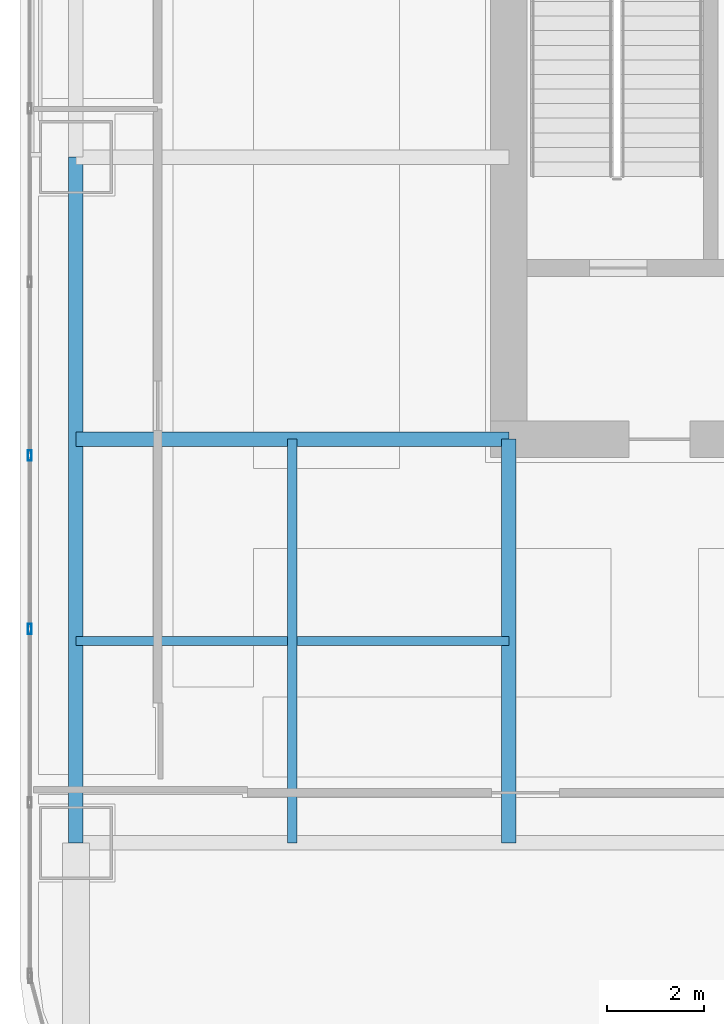
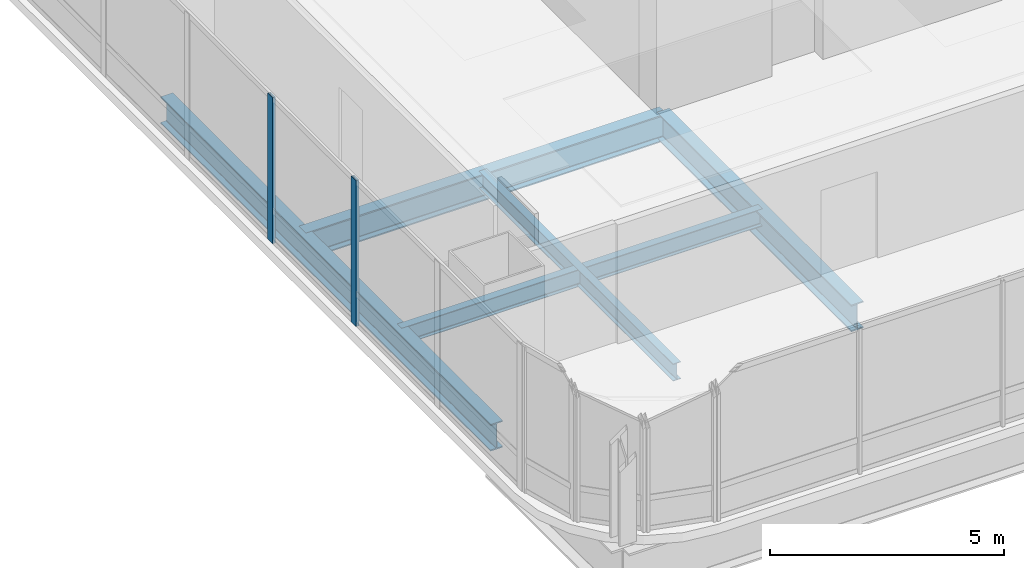
# One storey, part 3 of 35: 5 beams, 2 members, 1 element without a shape of its own.
"""IFC4 building model written with IfcOpenShell, lengths in metres."""

from ifc_helpers import new_model, si_unit, direction, frame, origin, origin_2d, place, context, subcontext, project, spatial, hollow_rectangle, i_section, extrude, material, material_profile, profile_set, type_object, element, aggregate, save


model = new_model("IFC4")

# Units and contexts
model_context = context("Model", 3, precision=1e-05, world=origin(), true_north=direction((0.0, 1.0)))
body_context = subcontext(model_context, "Body", "Model", "MODEL_VIEW")
ifc_project = project(units=[si_unit("LENGTHUNIT", "METRE"), si_unit("AREAUNIT", "SQUARE_METRE"), si_unit("VOLUMEUNIT", "CUBIC_METRE"), si_unit("PLANEANGLEUNIT", "RADIAN"), si_unit("MASSUNIT", "GRAM", prefix="KILO")], contexts=[model_context])

# Site, building, storey
site_placement = place(None, origin())
site = spatial("IfcSite", under=ifc_project, at=site_placement, CompositionType="ELEMENT")
building_placement = place(site_placement, origin())
building = spatial("IfcBuilding", under=site, at=building_placement, Name="Punatoya Terracotta Tower", CompositionType="ELEMENT")
storey_placement = place(building_placement, frame((0.0, 0.0, 64.64990234375)))
storey = spatial("IfcBuildingStorey", under=building, at=storey_placement, Name="L14", CompositionType="ELEMENT", Elevation=64.64990234375)

# Beams
ifc_material_1 = material(Name="Steel S355", Category="steel")
ifc_material_profile_1 = material_profile(ifc_material_1, i_section(OverallWidth=0.300048828125, OverallDepth=0.699951171875, WebThickness=0.01708984375, FlangeThickness=0.031982421875, FilletRadius=0.01806640625, at=origin_2d()))
ifc_profile_set_1 = profile_set([ifc_material_profile_1], Name="Steel S355")
beam_type_1 = type_object("IfcBeamType", Name="BM-PRI-700", PredefinedType="BEAM", material=ifc_profile_set_1)
beam_1_placement = place(storey_placement, frame((-19.10009765625, -17.5, -0.58984375), z_axis=(0.0, 1.0, 0.0), x_axis=(-1.0, 0.0, 0.0)))
element("IfcBeam", 1, at=beam_1_placement, inside=storey, type_object=beam_type_1, Name="BM-L14-RG-W1", PredefinedType="BEAM", context=body_context, shape_type="SweptSolid", body=[
    extrude(i_section(OverallWidth=0.300048828125, OverallDepth=0.699951171875, WebThickness=0.01708984375, FlangeThickness=0.031982421875, FilletRadius=0.01806640625, at=origin_2d()), origin(), (0.0, 0.0, 1.0), 14.10009765625),
])
beam_2_placement = place(storey_placement, frame((-19.10009765625, -9.199951171875, -0.58984375), z_axis=(1.0, 0.0, 0.0), x_axis=(0.0, 1.0, 0.0)))
element("IfcBeam", 2, at=beam_2_placement, inside=storey, type_object=beam_type_1, Name="BM-L14-PR-WS", PredefinedType="BEAM", context=body_context, shape_type="SweptSolid", body=[
    extrude(i_section(OverallWidth=0.300048828125, OverallDepth=0.699951171875, WebThickness=0.01708984375, FlangeThickness=0.031982421875, FilletRadius=0.01806640625, at=origin_2d()), origin(), (0.0, 0.0, 1.0), 8.900146484375),
])
beam_3_placement = place(storey_placement, frame((-10.199951171875, -17.5, -0.58984375), z_axis=(0.0, 1.0, 0.0), x_axis=(-1.0, 0.0, 0.0)))
element("IfcBeam", 3, at=beam_3_placement, inside=storey, type_object=beam_type_1, Name="BM-L14-PR-S1", PredefinedType="BEAM", context=body_context, shape_type="SweptSolid", body=[
    extrude(i_section(OverallWidth=0.300048828125, OverallDepth=0.699951171875, WebThickness=0.01708984375, FlangeThickness=0.031982421875, FilletRadius=0.01806640625, at=origin_2d()), origin(), (0.0, 0.0, 1.0), 8.300048828125),
])
ifc_material_profile_2 = material_profile(ifc_material_1, i_section(OverallWidth=0.18994140625, OverallDepth=0.449951171875, WebThickness=0.009521484375, FlangeThickness=0.0146484375, FilletRadius=0.01806640625, at=origin_2d()))
ifc_profile_set_2 = profile_set([ifc_material_profile_2], Name="Steel S355")
beam_type_2 = type_object("IfcBeamType", Name="BM-SEC-450", PredefinedType="JOIST", material=ifc_profile_set_2)
beam_4_placement = place(storey_placement, frame((-19.10009765625, -13.35009765625, -0.46484375), z_axis=(1.0, 0.0, 0.0), x_axis=(0.0, 1.0, 0.0)))
element("IfcBeam", 4, at=beam_4_placement, inside=storey, type_object=beam_type_2, Name="BM-L14-SJS-1", PredefinedType="JOIST", context=body_context, shape_type="SweptSolid", body=[
    extrude(i_section(OverallWidth=0.18994140625, OverallDepth=0.449951171875, WebThickness=0.009521484375, FlangeThickness=0.0146484375, FilletRadius=0.01806640625, at=origin_2d()), origin(), (0.0, 0.0, 1.0), 8.900146484375),
])
beam_5_placement = place(storey_placement, frame((-14.64990234375, -17.5, -0.46484375), z_axis=(0.0, 1.0, 0.0), x_axis=(-1.0, 0.0, 0.0)))
element("IfcBeam", 5, at=beam_5_placement, inside=storey, type_object=beam_type_2, Name="BM-L14-SJW-1", PredefinedType="JOIST", context=body_context, shape_type="SweptSolid", body=[
    extrude(i_section(OverallWidth=0.18994140625, OverallDepth=0.449951171875, WebThickness=0.009521484375, FlangeThickness=0.0146484375, FilletRadius=0.01806640625, at=origin_2d()), origin(), (0.0, 0.0, 1.0), 8.300048828125),
])

# Curtain wall, members
ifc_material_2 = material(Name="Aluminium 6063-T6 + Double Low-E Glass", Category="aluminium")
curtain_wall_type = type_object("IfcCurtainWallType", Name="CW-M1", PredefinedType="NOTDEFINED", material=ifc_material_2)
curtain_wall_placement = place(storey_placement, origin())
curtain_wall = element("IfcCurtainWall", 6, at=curtain_wall_placement, inside=storey, type_object=curtain_wall_type, Name="L14 Curtain Wall CW-L14-W13-1", PredefinedType="NOTDEFINED")
ifc_material_3 = material(Name="Aluminium 6063-T6", Category="aluminium")
ifc_material_profile_3 = material_profile(ifc_material_3, hollow_rectangle(XDim=0.074951171875, YDim=0.2099609375, WallThickness=0.00439453125, at=origin_2d()))
ifc_profile_set_3 = profile_set([ifc_material_profile_3], Name="Aluminium 6063-T6")
member_type = type_object("IfcMemberType", Name="CW-MUL-M1", PredefinedType="MULLION", material=ifc_profile_set_3)
member_1_placement = place(storey_placement, frame((-20.050048828125, -9.534912109375, 0.0), z_axis=(0.0, 0.0, 1.0), x_axis=(1.0, 0.0, 0.0)))
member_1 = element("IfcMember", 7, at=member_1_placement, type_object=member_type, Name="CW-L14-W13-1 Mullion 07", PredefinedType="MULLION", context=body_context, shape_type="SweptSolid", body=[
    extrude(hollow_rectangle(XDim=0.074951171875, YDim=0.2099609375, WallThickness=0.00439453125, at=origin_2d()), origin(), (0.0, 0.0, 1.0), 3.81005859375),
])
member_2_placement = place(storey_placement, frame((-20.050048828125, -13.10205078125, 0.0), z_axis=(0.0, 0.0, 1.0), x_axis=(1.0, 0.0, 0.0)))
member_2 = element("IfcMember", 8, at=member_2_placement, type_object=member_type, Name="CW-L14-W13-1 Mullion 08", PredefinedType="MULLION", context=body_context, shape_type="SweptSolid", body=[
    extrude(hollow_rectangle(XDim=0.074951171875, YDim=0.2099609375, WallThickness=0.00439453125, at=origin_2d()), origin(), (0.0, 0.0, 1.0), 3.81005859375),
])
aggregate(curtain_wall, [member_1, member_2])

save(model, "model.ifc")
